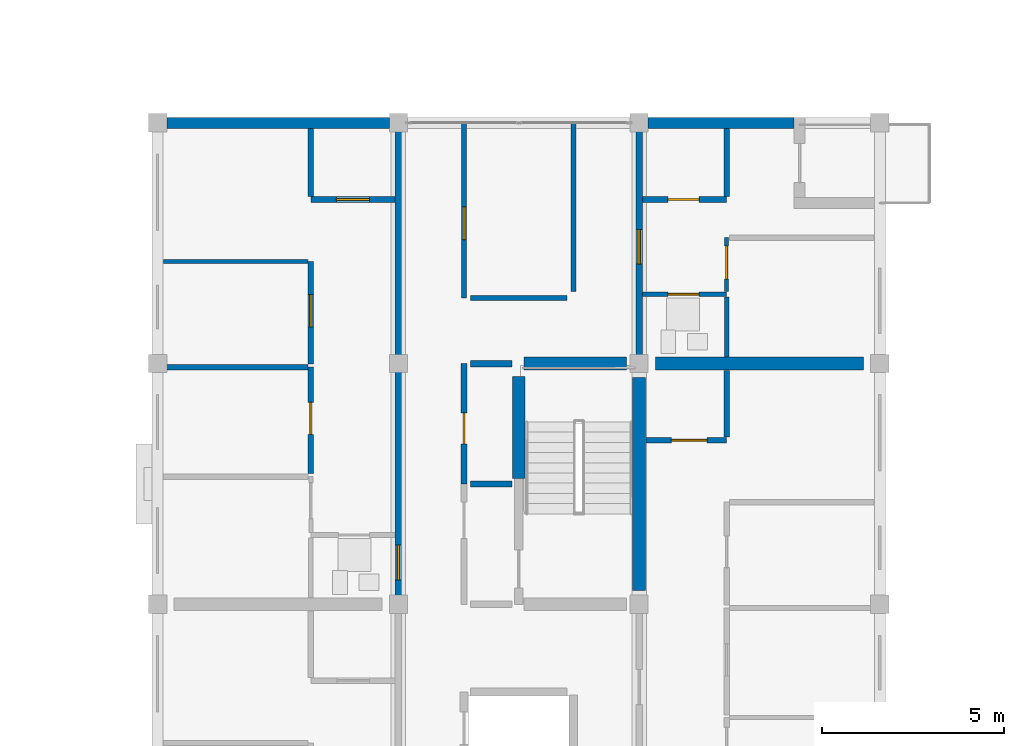
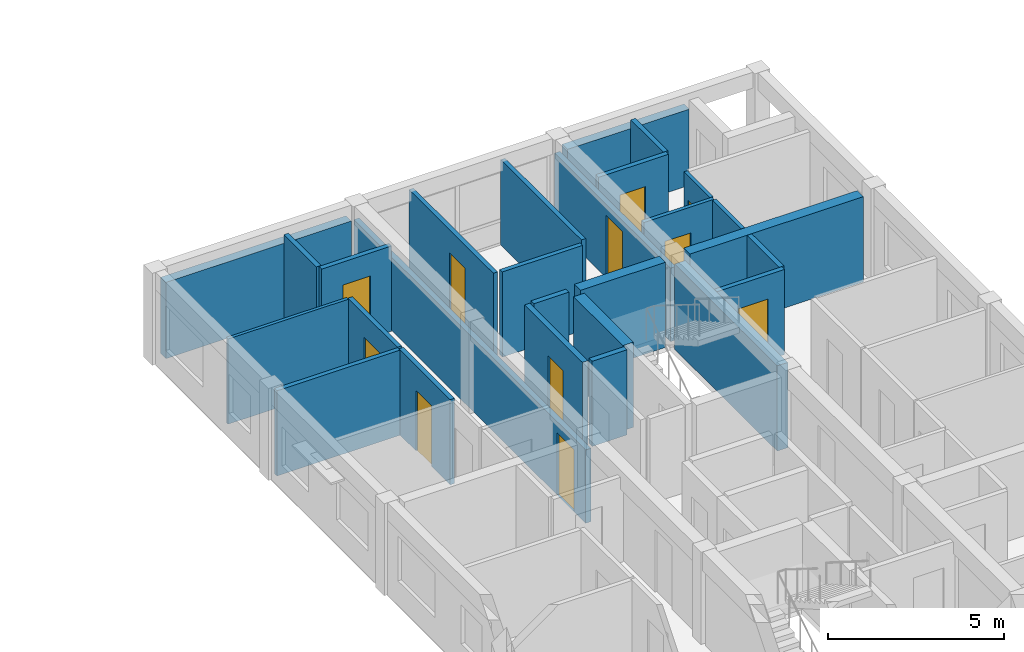
# One storey, part 32 of 52: 27 walls, 11 doors, 11 openings.
"""IFC4 building model written with IfcOpenShell, lengths in metres."""

from ifc_helpers import new_model, si_unit, direction, frame, frame_2d, origin, place, context, subcontext, project, spatial, rectangle, extrude, material, layer, layer_set, type_object, element, fill, save


model = new_model("IFC4")

# Units and contexts
model_context = context("Model", 3, precision=1e-05, world=origin(), true_north=direction((0.0, 1.0)))
body_context = subcontext(model_context, "Body", "Model", "MODEL_VIEW")
ifc_project = project(units=[si_unit("LENGTHUNIT", "METRE"), si_unit("AREAUNIT", "SQUARE_METRE"), si_unit("VOLUMEUNIT", "CUBIC_METRE"), si_unit("PLANEANGLEUNIT", "RADIAN"), si_unit("MASSUNIT", "GRAM", prefix="KILO")], contexts=[model_context])

# Site, building, storey
site_placement = place(None, origin())
site = spatial("IfcSite", under=ifc_project, at=site_placement, CompositionType="ELEMENT")
building_placement = place(site_placement, origin())
building = spatial("IfcBuilding", under=site, at=building_placement, Name="Kernevlak Ridge Housing Community", CompositionType="ELEMENT")
storey_placement = place(building_placement, frame((0.0, 0.0, 11.60009765625)))
storey = spatial("IfcBuildingStorey", under=building, at=storey_placement, Name="L03", CompositionType="ELEMENT", Elevation=11.60009765625)

# Walls
ifc_material_1 = material(Name="Concrete block masonry M10", Category="masonry")
ifc_layer_1 = layer(ifc_material_1, 0.300048828125, Name="Concrete block masonry M10")
ifc_layer_set_1 = layer_set([ifc_layer_1], Name="Concrete block masonry M10")
wall_type_1 = type_object("IfcWallType", Name="EW-01", PredefinedType="STANDARD", material=ifc_layer_set_1)
wall_1_placement = place(storey_placement, frame((126.25, 42.0, 0.0), z_axis=(0.0, 0.0, 1.0), x_axis=(1.0, 0.0, 0.0)))
element("IfcWall", 1, at=wall_1_placement, inside=storey, type_object=wall_type_1, Name="Exterior wall EW-01 L03 584", PredefinedType="STANDARD", context=body_context, shape_type="SweptSolid", body=[
    extrude(rectangle(XDim=6.10009765625, YDim=0.300048828125, at=frame_2d((3.050048828125, 0.0))), origin(), (0.0, 0.0, 1.0), 2.64990234375),
])
wall_2_placement = place(storey_placement, frame((139.449951171875, 42.0, 0.0), z_axis=(0.0, 0.0, 1.0), x_axis=(1.0, 0.0, 0.0)))
element("IfcWall", 2, at=wall_2_placement, inside=storey, type_object=wall_type_1, Name="Exterior wall EW-01 L03 585", PredefinedType="STANDARD", context=body_context, shape_type="SweptSolid", body=[
    extrude(rectangle(XDim=4.0, YDim=0.300048828125, at=frame_2d((2.0, 0.0))), origin(), (0.0, 0.0, 1.0), 2.64990234375),
])

# Wall, opening, door
ifc_layer_2 = layer(ifc_material_1, 0.175048828125, Name="Concrete block masonry M10")
ifc_layer_set_2 = layer_set([ifc_layer_2], Name="Concrete block masonry M10")
wall_type_2 = type_object("IfcWallType", Name="PW-02", PredefinedType="PARTITIONING", material=ifc_layer_set_2)
wall_3_placement = place(storey_placement, frame((134.39990234375, 32.10009765625, 0.0), z_axis=(0.0, 0.0, 1.0), x_axis=(0.0, 1.0, 0.0)))
wall_3 = element("IfcWall", 3, at=wall_3_placement, inside=storey, type_object=wall_type_2, Name="Interior wall PW-02 WAL-INT-L03-2308", PredefinedType="PARTITIONING", context=body_context, shape_type="SweptSolid", body=[
    extrude(rectangle(XDim=3.2998046875, YDim=0.175048828125, at=frame_2d((1.64990234375, 0.0))), origin(), (0.0, 0.0, 1.0), 2.9599609375),
])
opening_1_placement = place(wall_3_placement, frame((1.10009765625, 0.0, 0.0)))
opening_1 = element("IfcOpeningElement", 4, at=opening_1_placement, cuts=wall_3, Name="Opening E170", PredefinedType="OPENING", context=body_context, shape_type="SweptSolid", body=[
    extrude(rectangle(XDim=0.85009765625, YDim=2.0, at=frame_2d((0.425048828125, 1.0))), frame((0.0, 0.097412109375, 0.0), z_axis=(0.0, -1.0, 0.0), x_axis=(1.0, 0.0, 0.0)), (0.0, 0.0, 1.0), 0.195068359375),
])
ifc_material_2 = material(Name="Fire-rated sheet steel leaf", Category="steel")
door_type_1 = type_object("IfcDoorType", Name="DT-07", OperationType="NOTDEFINED", PredefinedType="DOOR", material=ifc_material_2)
door_1_placement = place(opening_1_placement, origin())
door_1 = element("IfcDoor", 5, at=door_1_placement, inside=storey, type_object=door_type_1, Name="Block C Cleaner store door E170", OperationType="SINGLE_SWING_LEFT", OverallHeight=2.0, OverallWidth=0.85009765625, PredefinedType="DOOR", context=body_context, shape_type="SweptSolid", body=[
    extrude(rectangle(XDim=0.85009765625, YDim=2.0, at=frame_2d((0.425048828125, 1.0))), frame((0.0, 0.02490234375, 0.0), z_axis=(0.0, -1.0, 0.0), x_axis=(1.0, 0.0, 0.0)), (0.0, 0.0, 1.0), 0.050048828125),
])
fill(opening_1, door_1)

# Walls
for number, where, z_axis, x_axis, name in (
    (6, (134.580078125, 32.10009765625, 0.0), (0.0, 0.0, 1.0), (1.0, 0.0, 0.0), "Interior wall PW-02 WAL-INT-L03-2310"),
    (7, (134.580078125, 35.39990234375, 0.0), (0.0, 0.0, 1.0), (1.0, 0.0, 0.0), "Interior wall PW-02 WAL-INT-L03-2311"),
):
    element("IfcWall", number, at=place(storey_placement, frame(where, z_axis=z_axis, x_axis=x_axis)), inside=storey, type_object=wall_type_2, Name=name, PredefinedType="PARTITIONING", context=body_context, shape_type="SweptSolid", body=[
        extrude(rectangle(XDim=1.139892578125, YDim=0.175048828125, at=frame_2d((0.56982421875, 0.0))), origin(), (0.0, 0.0, 1.0), 2.9599609375),
    ])

# Wall, opening, door
wall_4_placement = place(storey_placement, frame((132.60009765625, 28.800048828125, 0.0), z_axis=(0.0, 0.0, 1.0), x_axis=(0.0, 1.0, 0.0)))
wall_4 = element("IfcWall", 8, at=wall_4_placement, inside=storey, type_object=wall_type_2, Name="Interior wall PW-02 WAL-INT-L03-2326", PredefinedType="PARTITIONING", context=body_context, shape_type="SweptSolid", body=[
    extrude(rectangle(XDim=13.199951171875, YDim=0.175048828125, at=frame_2d((6.60009765625, 0.0))), origin(), (0.0, 0.0, 1.0), 2.5498046875),
])
opening_2_placement = place(wall_4_placement, frame((0.669921875, 0.0, 0.0)))
opening_2 = element("IfcOpeningElement", 9, at=opening_2_placement, cuts=wall_4, Name="Opening E178", PredefinedType="OPENING", context=body_context, shape_type="SweptSolid", body=[
    extrude(rectangle(XDim=0.949951171875, YDim=2.159912109375, at=frame_2d((0.47509765625, 1.080078125))), frame((0.0, 0.097412109375, 0.0), z_axis=(0.0, -1.0, 0.0), x_axis=(1.0, 0.0, 0.0)), (0.0, 0.0, 1.0), 0.195068359375),
])
ifc_material_3 = material(Name="Hardwood timber solid-core fire leaf", Category="wood")
door_type_2 = type_object("IfcDoorType", Name="DT-02", OperationType="NOTDEFINED", PredefinedType="DOOR", material=ifc_material_3)
door_2_placement = place(opening_2_placement, origin())
door_2 = element("IfcDoor", 10, at=door_2_placement, inside=storey, type_object=door_type_2, Name="Flat C0312 entrance fire door E178", OperationType="SINGLE_SWING_LEFT", OverallHeight=2.159912109375, OverallWidth=0.949951171875, PredefinedType="DOOR", context=body_context, shape_type="SweptSolid", body=[
    extrude(rectangle(XDim=0.949951171875, YDim=2.159912109375, at=frame_2d((0.47509765625, 1.080078125))), frame((0.0, 0.02490234375, 0.0), z_axis=(0.0, -1.0, 0.0), x_axis=(1.0, 0.0, 0.0)), (0.0, 0.0, 1.0), 0.050048828125),
])
fill(opening_2, door_2)

wall_5_placement = place(storey_placement, frame((139.199951171875, 35.39990234375, 0.0), z_axis=(0.0, 0.0, 1.0), x_axis=(0.0, 1.0, 0.0)))
wall_5 = element("IfcWall", 11, at=wall_5_placement, inside=storey, type_object=wall_type_2, Name="Interior wall PW-02 WAL-INT-L03-2356", PredefinedType="PARTITIONING", context=body_context, shape_type="SweptSolid", body=[
    extrude(rectangle(XDim=6.60009765625, YDim=0.175048828125, at=frame_2d((3.300048828125, 0.0))), origin(), (0.0, 0.0, 1.0), 2.5498046875),
])
opening_3_placement = place(wall_5_placement, frame((2.72509765625, 0.0, 0.0)))
opening_3 = element("IfcOpeningElement", 12, at=opening_3_placement, cuts=wall_5, Name="Opening E194", PredefinedType="OPENING", context=body_context, shape_type="SweptSolid", body=[
    extrude(rectangle(XDim=0.949951171875, YDim=2.159912109375, at=frame_2d((0.47509765625, 1.080078125))), frame((0.0, 0.097412109375, 0.0), z_axis=(0.0, -1.0, 0.0), x_axis=(1.0, 0.0, 0.0)), (0.0, 0.0, 1.0), 0.195068359375),
])
door_3_placement = place(opening_3_placement, origin())
door_3 = element("IfcDoor", 13, at=door_3_placement, inside=storey, type_object=door_type_2, Name="Flat C0323 entrance fire door E194", OperationType="SINGLE_SWING_LEFT", OverallHeight=2.159912109375, OverallWidth=0.949951171875, PredefinedType="DOOR", context=body_context, shape_type="SweptSolid", body=[
    extrude(rectangle(XDim=0.949951171875, YDim=2.159912109375, at=frame_2d((0.47509765625, 1.080078125))), frame((0.0, 0.02490234375, 0.0), z_axis=(0.0, -1.0, 0.0), x_axis=(1.0, 0.0, 0.0)), (0.0, 0.0, 1.0), 0.050048828125),
])
fill(opening_3, door_3)

ifc_layer_3 = layer(ifc_material_1, 0.14501953125, Name="Concrete block masonry M10")
ifc_layer_set_3 = layer_set([ifc_layer_3], Name="Concrete block masonry M10")
wall_type_3 = type_object("IfcWallType", Name="PW-03", PredefinedType="PARTITIONING", material=ifc_layer_set_3)
wall_6_placement = place(storey_placement, frame((134.39990234375, 37.199951171875, 0.0), z_axis=(0.0, 0.0, 1.0), x_axis=(0.0, 1.0, 0.0)))
wall_6 = element("IfcWall", 14, at=wall_6_placement, inside=storey, type_object=wall_type_3, Name="Interior wall PW-03 WAL-INT-L03-2312", PredefinedType="PARTITIONING", context=body_context, shape_type="SweptSolid", body=[
    extrude(rectangle(XDim=4.800048828125, YDim=0.14501953125, at=frame_2d((2.39990234375, 0.0))), origin(), (0.0, 0.0, 1.0), 2.9599609375),
])
opening_4_placement = place(wall_6_placement, frame((1.60009765625, 0.0, 0.0)))
opening_4 = element("IfcOpeningElement", 15, at=opening_4_placement, cuts=wall_6, Name="Opening E171", PredefinedType="OPENING", context=body_context, shape_type="SweptSolid", body=[
    extrude(rectangle(XDim=0.89990234375, YDim=2.159912109375, at=frame_2d((0.449951171875, 1.080078125))), frame((0.0, 0.08251953125, 0.0), z_axis=(0.0, -1.0, 0.0), x_axis=(1.0, 0.0, 0.0)), (0.0, 0.0, 1.0), 0.1650390625),
])
ifc_material_4 = material(Name="Hardwood timber leaf", Category="wood")
door_type_3 = type_object("IfcDoorType", Name="DT-22", OperationType="NOTDEFINED", PredefinedType="DOOR", material=ifc_material_4)
door_4_placement = place(opening_4_placement, origin())
door_4 = element("IfcDoor", 16, at=door_4_placement, inside=storey, type_object=door_type_3, Name="Block C Laundry room door E171", OperationType="SINGLE_SWING_RIGHT", OverallHeight=2.159912109375, OverallWidth=0.89990234375, PredefinedType="DOOR", context=body_context, shape_type="SweptSolid", body=[
    extrude(rectangle(XDim=0.89990234375, YDim=2.159912109375, at=frame_2d((0.449951171875, 1.080078125))), frame((0.0, 0.02490234375, 0.0), z_axis=(0.0, -1.0, 0.0), x_axis=(1.0, 0.0, 0.0)), (0.0, 0.0, 1.0), 0.050048828125),
])
fill(opening_4, door_4)

# Walls
wall_7_placement = place(storey_placement, frame((137.39990234375, 37.3798828125, 0.0), z_axis=(0.0, 0.0, 1.0), x_axis=(0.0, 1.0, 0.0)))
element("IfcWall", 17, at=wall_7_placement, inside=storey, type_object=wall_type_3, Name="Interior wall PW-03 WAL-INT-L03-2313", PredefinedType="PARTITIONING", context=body_context, shape_type="SweptSolid", body=[
    extrude(rectangle(XDim=4.60009765625, YDim=0.14501953125, at=frame_2d((2.300048828125, 0.0))), origin(), (0.0, 0.0, 1.0), 2.9599609375),
])
wall_8_placement = place(storey_placement, frame((134.580078125, 37.199951171875, 0.0), z_axis=(0.0, 0.0, 1.0), x_axis=(1.0, 0.0, 0.0)))
element("IfcWall", 18, at=wall_8_placement, inside=storey, type_object=wall_type_3, Name="Interior wall PW-03 WAL-INT-L03-2314", PredefinedType="PARTITIONING", context=body_context, shape_type="SweptSolid", body=[
    extrude(rectangle(XDim=2.639892578125, YDim=0.14501953125, at=frame_2d((1.31982421875, 0.0))), origin(), (0.0, 0.0, 1.0), 2.9599609375),
])

# Wall, opening, door
wall_9_placement = place(storey_placement, frame((130.199951171875, 32.382568359375, 0.0), z_axis=(0.0, 0.0, 1.0), x_axis=(0.0, 1.0, 0.0)))
wall_9 = element("IfcWall", 19, at=wall_9_placement, inside=storey, type_object=wall_type_3, Name="Interior wall PW-03 WAL-INT-L03-2333", PredefinedType="PARTITIONING", context=body_context, shape_type="SweptSolid", body=[
    extrude(rectangle(XDim=2.91748046875, YDim=0.14501953125, at=frame_2d((1.458740234375, 0.0))), origin(), (0.0, 0.0, 1.0), 2.9599609375),
])
opening_5_placement = place(wall_9_placement, frame((1.074951171875, 0.0, 0.0)))
opening_5 = element("IfcOpeningElement", 20, at=opening_5_placement, cuts=wall_9, Name="Opening E182", PredefinedType="OPENING", context=body_context, shape_type="SweptSolid", body=[
    extrude(rectangle(XDim=0.8798828125, YDim=2.10009765625, at=frame_2d((0.43994140625, 1.050048828125))), frame((0.0, 0.08251953125, 0.0), z_axis=(0.0, -1.0, 0.0), x_axis=(1.0, 0.0, 0.0)), (0.0, 0.0, 1.0), 0.1650390625),
])
door_type_4 = type_object("IfcDoorType", Name="DT-25", OperationType="NOTDEFINED", PredefinedType="DOOR", material=ifc_material_4)
door_5_placement = place(opening_5_placement, origin())
door_5 = element("IfcDoor", 21, at=door_5_placement, inside=storey, type_object=door_type_4, Name="Flat C0312 bedroom door E182", OperationType="SINGLE_SWING_LEFT", OverallHeight=2.10009765625, OverallWidth=0.8798828125, PredefinedType="DOOR", context=body_context, shape_type="SweptSolid", body=[
    extrude(rectangle(XDim=0.8798828125, YDim=2.10009765625, at=frame_2d((0.43994140625, 1.050048828125))), frame((0.0, 0.02490234375, 0.0), z_axis=(0.0, -1.0, 0.0), x_axis=(1.0, 0.0, 0.0)), (0.0, 0.0, 1.0), 0.050048828125),
])
fill(opening_5, door_5)

# Wall
wall_10_placement = place(storey_placement, frame((130.117431640625, 35.300048828125, 0.0), z_axis=(0.0, 0.0, 1.0), x_axis=(-1.0, 0.0, 0.0)))
element("IfcWall", 22, at=wall_10_placement, inside=storey, type_object=wall_type_3, Name="Interior wall PW-03 WAL-INT-L03-2334", PredefinedType="PARTITIONING", context=body_context, shape_type="SweptSolid", body=[
    extrude(rectangle(XDim=4.037353515625, YDim=0.14501953125, at=frame_2d((2.0185546875, 0.0))), origin(), (0.0, 0.0, 1.0), 2.9599609375),
])

# Wall, opening, door
wall_11_placement = place(storey_placement, frame((130.199951171875, 35.382568359375, 0.0), z_axis=(0.0, 0.0, 1.0), x_axis=(0.0, 1.0, 0.0)))
wall_11 = element("IfcWall", 23, at=wall_11_placement, inside=storey, type_object=wall_type_3, Name="Interior wall PW-03 WAL-INT-L03-2335", PredefinedType="PARTITIONING", context=body_context, shape_type="SweptSolid", body=[
    extrude(rectangle(XDim=2.8173828125, YDim=0.14501953125, at=frame_2d((1.40869140625, 0.0))), origin(), (0.0, 0.0, 1.0), 2.9599609375),
])
opening_6_placement = place(wall_11_placement, frame((1.02490234375, 0.0, 0.0)))
opening_6 = element("IfcOpeningElement", 24, at=opening_6_placement, cuts=wall_11, Name="Opening E183", PredefinedType="OPENING", context=body_context, shape_type="SweptSolid", body=[
    extrude(rectangle(XDim=0.8798828125, YDim=2.159912109375, at=frame_2d((0.43994140625, 1.080078125))), frame((0.0, 0.08251953125, 0.0), z_axis=(0.0, -1.0, 0.0), x_axis=(1.0, 0.0, 0.0)), (0.0, 0.0, 1.0), 0.1650390625),
])
door_type_5 = type_object("IfcDoorType", Name="DT-26", OperationType="NOTDEFINED", PredefinedType="DOOR", material=ifc_material_4)
door_6_placement = place(opening_6_placement, origin())
door_6 = element("IfcDoor", 25, at=door_6_placement, inside=storey, type_object=door_type_5, Name="Flat C0312 bedroom door E183", OperationType="SINGLE_SWING_RIGHT", OverallHeight=2.159912109375, OverallWidth=0.8798828125, PredefinedType="DOOR", context=body_context, shape_type="SweptSolid", body=[
    extrude(rectangle(XDim=0.8798828125, YDim=2.159912109375, at=frame_2d((0.43994140625, 1.080078125))), frame((0.0, 0.02490234375, 0.0), z_axis=(0.0, -1.0, 0.0), x_axis=(1.0, 0.0, 0.0)), (0.0, 0.0, 1.0), 0.050048828125),
])
fill(opening_6, door_6)

ifc_material_5 = material(Name="Gypsum plasterboard EN 520", Category="gypsum")
ifc_layer_4 = layer(ifc_material_5, 0.125, Name="Gypsum plasterboard EN 520")
ifc_layer_set_4 = layer_set([ifc_layer_4], Name="Gypsum plasterboard EN 520")
wall_type_4 = type_object("IfcWallType", Name="PW-04", PredefinedType="PARTITIONING", material=ifc_layer_set_4)
wall_12_placement = place(storey_placement, frame((139.297607421875, 37.300048828125, 0.0), z_axis=(0.0, 0.0, 1.0), x_axis=(1.0, 0.0, 0.0)))
wall_12 = element("IfcWall", 26, at=wall_12_placement, inside=storey, type_object=wall_type_4, Name="Interior wall PW-04 WAL-INT-L03-2357", PredefinedType="PARTITIONING", context=body_context, shape_type="SweptSolid", body=[
    extrude(rectangle(XDim=2.302490234375, YDim=0.125, at=frame_2d((1.1513671875, 0.0))), origin(), (0.0, 0.0, 1.0), 2.9599609375),
])
opening_7_placement = place(wall_12_placement, frame((0.699951171875, 0.0, 0.0)))
opening_7 = element("IfcOpeningElement", 27, at=opening_7_placement, cuts=wall_12, Name="Opening E195", PredefinedType="OPENING", context=body_context, shape_type="SweptSolid", body=[
    extrude(rectangle(XDim=0.840087890625, YDim=2.06005859375, at=frame_2d((0.419921875, 1.030029296875))), frame((0.0, 0.072509765625, 0.0), z_axis=(0.0, -1.0, 0.0), x_axis=(1.0, 0.0, 0.0)), (0.0, 0.0, 1.0), 0.14501953125),
])
ifc_material_6 = material(Name="Hardwood timber moisture-resistant leaf", Category="wood")
door_type_6 = type_object("IfcDoorType", Name="DT-27", OperationType="NOTDEFINED", PredefinedType="DOOR", material=ifc_material_6)
door_7_placement = place(opening_7_placement, origin())
door_7 = element("IfcDoor", 28, at=door_7_placement, inside=storey, type_object=door_type_6, Name="Flat C0323 bathroom door E195", OperationType="SINGLE_SWING_RIGHT", OverallHeight=2.06005859375, OverallWidth=0.840087890625, PredefinedType="DOOR", context=body_context, shape_type="SweptSolid", body=[
    extrude(rectangle(XDim=0.840087890625, YDim=2.06005859375, at=frame_2d((0.419921875, 1.030029296875))), frame((0.0, 0.02490234375, 0.0), z_axis=(0.0, -1.0, 0.0), x_axis=(1.0, 0.0, 0.0)), (0.0, 0.0, 1.0), 0.050048828125),
])
fill(opening_7, door_7)

# Wall
wall_13_placement = place(storey_placement, frame((141.60009765625, 35.5849609375, 0.0), z_axis=(0.0, 0.0, 1.0), x_axis=(0.0, 1.0, 0.0)))
element("IfcWall", 29, at=wall_13_placement, inside=storey, type_object=wall_type_4, Name="Interior wall PW-04 WAL-INT-L03-2358", PredefinedType="PARTITIONING", context=body_context, shape_type="SweptSolid", body=[
    extrude(rectangle(XDim=1.635009765625, YDim=0.125, at=frame_2d((0.8173828125, 0.0))), origin(), (0.0, 0.0, 1.0), 2.9599609375),
])

# Wall, opening, door
ifc_layer_5 = layer(ifc_material_5, 0.155029296875, Name="Gypsum plasterboard EN 520")
ifc_layer_set_5 = layer_set([ifc_layer_5], Name="Gypsum plasterboard EN 520")
wall_type_5 = type_object("IfcWallType", Name="PW-05", PredefinedType="PARTITIONING", material=ifc_layer_set_5)
wall_14_placement = place(storey_placement, frame((132.50244140625, 39.89990234375, 0.0), z_axis=(0.0, 0.0, 1.0), x_axis=(-1.0, 0.0, 0.0)))
wall_14 = element("IfcWall", 30, at=wall_14_placement, inside=storey, type_object=wall_type_5, Name="Interior wall PW-05 WAL-INT-L03-2329", PredefinedType="PARTITIONING", context=body_context, shape_type="SweptSolid", body=[
    extrude(rectangle(XDim=2.302490234375, YDim=0.155029296875, at=frame_2d((1.1513671875, 0.0))), origin(), (0.0, 0.0, 1.0), 2.9599609375),
])
opening_8_placement = place(wall_14_placement, frame((0.699951171875, 0.0, 0.0)))
opening_8 = element("IfcOpeningElement", 31, at=opening_8_placement, cuts=wall_14, Name="Opening E180", PredefinedType="OPENING", context=body_context, shape_type="SweptSolid", body=[
    extrude(rectangle(XDim=0.89990234375, YDim=2.159912109375, at=frame_2d((0.449951171875, 1.080078125))), frame((0.0, 0.08740234375, 0.0), z_axis=(0.0, -1.0, 0.0), x_axis=(1.0, 0.0, 0.0)), (0.0, 0.0, 1.0), 0.175048828125),
])
door_8_placement = place(opening_8_placement, origin())
door_8 = element("IfcDoor", 32, at=door_8_placement, inside=storey, type_object=door_type_3, Name="Flat C0312 kitchen door E180", OperationType="SINGLE_SWING_LEFT", OverallHeight=2.159912109375, OverallWidth=0.89990234375, PredefinedType="DOOR", context=body_context, shape_type="SweptSolid", body=[
    extrude(rectangle(XDim=0.89990234375, YDim=2.159912109375, at=frame_2d((0.449951171875, 1.080078125))), frame((0.0, 0.02490234375, 0.0), z_axis=(0.0, -1.0, 0.0), x_axis=(1.0, 0.0, 0.0)), (0.0, 0.0, 1.0), 0.050048828125),
])
fill(opening_8, door_8)

# Wall
wall_15_placement = place(storey_placement, frame((130.199951171875, 39.987548828125, 0.0), z_axis=(0.0, 0.0, 1.0), x_axis=(0.0, 1.0, 0.0)))
element("IfcWall", 33, at=wall_15_placement, inside=storey, type_object=wall_type_5, Name="Interior wall PW-05 WAL-INT-L03-2330", PredefinedType="PARTITIONING", context=body_context, shape_type="SweptSolid", body=[
    extrude(rectangle(XDim=1.8525390625, YDim=0.155029296875, at=frame_2d((0.92626953125, 0.0))), origin(), (0.0, 0.0, 1.0), 2.9599609375),
])

# Wall, opening, door
wall_16_placement = place(storey_placement, frame((139.385009765625, 33.300048828125, 0.0), z_axis=(0.0, 0.0, 1.0), x_axis=(1.0, 0.0, 0.0)))
wall_16 = element("IfcWall", 34, at=wall_16_placement, inside=storey, type_object=wall_type_5, Name="Interior wall PW-05 WAL-INT-L03-2348", PredefinedType="PARTITIONING", context=body_context, shape_type="SweptSolid", body=[
    extrude(rectangle(XDim=2.215087890625, YDim=0.155029296875, at=frame_2d((1.107421875, 0.0))), origin(), (0.0, 0.0, 1.0), 2.9599609375),
])
opening_9_placement = place(wall_16_placement, frame((0.699951171875, 0.0, 0.0)))
opening_9 = element("IfcOpeningElement", 35, at=opening_9_placement, cuts=wall_16, Name="Opening E190", PredefinedType="OPENING", context=body_context, shape_type="SweptSolid", body=[
    extrude(rectangle(XDim=0.97998046875, YDim=2.1201171875, at=frame_2d((0.489990234375, 1.06005859375))), frame((0.0, 0.08740234375, 0.0), z_axis=(0.0, -1.0, 0.0), x_axis=(1.0, 0.0, 0.0)), (0.0, 0.0, 1.0), 0.175048828125),
])
door_type_7 = type_object("IfcDoorType", Name="DT-24", OperationType="NOTDEFINED", PredefinedType="DOOR", material=ifc_material_4)
door_9_placement = place(opening_9_placement, origin())
door_9 = element("IfcDoor", 36, at=door_9_placement, inside=storey, type_object=door_type_7, Name="Flat C0322 kitchen door E190", OperationType="SINGLE_SWING_LEFT", OverallHeight=2.1201171875, OverallWidth=0.97998046875, PredefinedType="DOOR", context=body_context, shape_type="SweptSolid", body=[
    extrude(rectangle(XDim=0.97998046875, YDim=2.1201171875, at=frame_2d((0.489990234375, 1.06005859375))), frame((0.0, 0.02490234375, 0.0), z_axis=(0.0, -1.0, 0.0), x_axis=(1.0, 0.0, 0.0)), (0.0, 0.0, 1.0), 0.050048828125),
])
fill(opening_9, door_9)

# Wall
wall_17_placement = place(storey_placement, frame((141.60009765625, 33.387451171875, 0.0), z_axis=(0.0, 0.0, 1.0), x_axis=(0.0, 1.0, 0.0)))
element("IfcWall", 37, at=wall_17_placement, inside=storey, type_object=wall_type_5, Name="Interior wall PW-05 WAL-INT-L03-2349", PredefinedType="PARTITIONING", context=body_context, shape_type="SweptSolid", body=[
    extrude(rectangle(XDim=1.82763671875, YDim=0.155029296875, at=frame_2d((0.913818359375, 0.0))), origin(), (0.0, 0.0, 1.0), 2.9599609375),
])

# Wall, opening, door
wall_18_placement = place(storey_placement, frame((139.297607421875, 39.89990234375, 0.0), z_axis=(0.0, 0.0, 1.0), x_axis=(1.0, 0.0, 0.0)))
wall_18 = element("IfcWall", 38, at=wall_18_placement, inside=storey, type_object=wall_type_5, Name="Interior wall PW-05 WAL-INT-L03-2359", PredefinedType="PARTITIONING", context=body_context, shape_type="SweptSolid", body=[
    extrude(rectangle(XDim=2.302490234375, YDim=0.155029296875, at=frame_2d((1.1513671875, 0.0))), origin(), (0.0, 0.0, 1.0), 2.9599609375),
])
opening_10_placement = place(wall_18_placement, frame((0.699951171875, 0.0, 0.0)))
opening_10 = element("IfcOpeningElement", 39, at=opening_10_placement, cuts=wall_18, Name="Opening E196", PredefinedType="OPENING", context=body_context, shape_type="SweptSolid", body=[
    extrude(rectangle(XDim=0.85009765625, YDim=2.10009765625, at=frame_2d((0.425048828125, 1.050048828125))), frame((0.0, 0.08740234375, 0.0), z_axis=(0.0, -1.0, 0.0), x_axis=(1.0, 0.0, 0.0)), (0.0, 0.0, 1.0), 0.175048828125),
])
door_type_8 = type_object("IfcDoorType", Name="DT-03", OperationType="NOTDEFINED", PredefinedType="DOOR", material=ifc_material_4)
door_10_placement = place(opening_10_placement, origin())
door_10 = element("IfcDoor", 40, at=door_10_placement, inside=storey, type_object=door_type_8, Name="Flat C0323 kitchen door E196", OperationType="SINGLE_SWING_LEFT", OverallHeight=2.10009765625, OverallWidth=0.85009765625, PredefinedType="DOOR", context=body_context, shape_type="SweptSolid", body=[
    extrude(rectangle(XDim=0.85009765625, YDim=2.10009765625, at=frame_2d((0.425048828125, 1.050048828125))), frame((0.0, 0.02490234375, 0.0), z_axis=(0.0, -1.0, 0.0), x_axis=(1.0, 0.0, 0.0)), (0.0, 0.0, 1.0), 0.050048828125),
])
fill(opening_10, door_10)

# Walls
wall_19_placement = place(storey_placement, frame((141.60009765625, 39.987548828125, 0.0), z_axis=(0.0, 0.0, 1.0), x_axis=(0.0, 1.0, 0.0)))
element("IfcWall", 41, at=wall_19_placement, inside=storey, type_object=wall_type_5, Name="Interior wall PW-05 WAL-INT-L03-2360", PredefinedType="PARTITIONING", context=body_context, shape_type="SweptSolid", body=[
    extrude(rectangle(XDim=1.8525390625, YDim=0.155029296875, at=frame_2d((0.92626953125, 0.0))), origin(), (0.0, 0.0, 1.0), 2.9599609375),
])
ifc_layer_6 = layer(ifc_material_5, 0.10498046875, Name="Gypsum plasterboard EN 520")
ifc_layer_set_6 = layer_set([ifc_layer_6], Name="Gypsum plasterboard EN 520")
wall_type_6 = type_object("IfcWallType", Name="PW-06", PredefinedType="PARTITIONING", material=ifc_layer_set_6)
wall_20_placement = place(storey_placement, frame((130.117431640625, 38.199951171875, 0.0), z_axis=(0.0, 0.0, 1.0), x_axis=(-1.0, 0.0, 0.0)))
element("IfcWall", 42, at=wall_20_placement, inside=storey, type_object=wall_type_6, Name="Interior wall PW-06 WAL-INT-L03-2336", PredefinedType="PARTITIONING", context=body_context, shape_type="SweptSolid", body=[
    extrude(rectangle(XDim=3.95751953125, YDim=0.10498046875, at=frame_2d((1.978759765625, 0.0))), origin(), (0.0, 0.0, 1.0), 2.9599609375),
])

# Wall, opening, door
wall_21_placement = place(storey_placement, frame((141.60009765625, 37.37255859375, 0.0), z_axis=(0.0, 0.0, 1.0), x_axis=(0.0, 1.0, 0.0)))
wall_21 = element("IfcWall", 43, at=wall_21_placement, inside=storey, type_object=wall_type_6, Name="Interior wall PW-06 WAL-INT-L03-2361", PredefinedType="PARTITIONING", context=body_context, shape_type="SweptSolid", body=[
    extrude(rectangle(XDim=1.4775390625, YDim=0.10498046875, at=frame_2d((0.73876953125, 0.0))), origin(), (0.0, 0.0, 1.0), 2.9599609375),
])
opening_11_placement = place(wall_21_placement, frame((0.35009765625, 0.0, 0.0)))
opening_11 = element("IfcOpeningElement", 44, at=opening_11_placement, cuts=wall_21, Name="Opening E197", PredefinedType="OPENING", context=body_context, shape_type="SweptSolid", body=[
    extrude(rectangle(XDim=0.89990234375, YDim=2.10009765625, at=frame_2d((0.449951171875, 1.050048828125))), frame((0.0, 0.0625, 0.0), z_axis=(0.0, -1.0, 0.0), x_axis=(1.0, 0.0, 0.0)), (0.0, 0.0, 1.0), 0.125),
])
door_type_9 = type_object("IfcDoorType", Name="DT-21", OperationType="NOTDEFINED", PredefinedType="DOOR", material=ifc_material_4)
door_11_placement = place(opening_11_placement, origin())
door_11 = element("IfcDoor", 45, at=door_11_placement, inside=storey, type_object=door_type_9, Name="Flat C0323 bedroom door E197", OperationType="SINGLE_SWING_RIGHT", OverallHeight=2.10009765625, OverallWidth=0.89990234375, PredefinedType="DOOR", context=body_context, shape_type="SweptSolid", body=[
    extrude(rectangle(XDim=0.89990234375, YDim=2.10009765625, at=frame_2d((0.449951171875, 1.050048828125))), frame((0.0, 0.02490234375, 0.0), z_axis=(0.0, -1.0, 0.0), x_axis=(1.0, 0.0, 0.0)), (0.0, 0.0, 1.0), 0.050048828125),
])
fill(opening_11, door_11)

# Walls
ifc_material_7 = material(Name="Concrete C40/50", Category="concrete")
ifc_layer_7 = layer(ifc_material_7, 0.35009765625, Name="Concrete C40/50")
ifc_layer_set_7 = layer_set([ifc_layer_7], Name="Concrete C40/50")
wall_type_7 = type_object("IfcWallType", Name="SW-01", PredefinedType="SHEAR", material=ifc_layer_set_7)
wall_22_placement = place(storey_placement, frame((139.199951171875, 29.179931640625, 0.0), z_axis=(0.0, 0.0, 1.0), x_axis=(0.0, 1.0, 0.0)))
element("IfcWall", 46, at=wall_22_placement, inside=storey, type_object=wall_type_7, Name="Shear wall SW-01 Block C L03 404", PredefinedType="SHEAR", context=body_context, shape_type="SweptSolid", body=[
    extrude(rectangle(XDim=5.840087890625, YDim=0.35009765625, at=frame_2d((2.919921875, 0.0))), origin(), (0.0, 0.0, 1.0), 2.9599609375),
])
for number, where, z_axis, x_axis, name in (
    (47, (135.89990234375, 32.25, 0.0), (0.0, 0.0, 1.0), (0.0, 1.0, 0.0), "Shear wall SW-01 Block C L03 405"),
    (48, (136.050048828125, 35.39990234375, 0.0), (0.0, 0.0, 1.0), (1.0, 0.0, 0.0), "Shear wall SW-01 Block C L03 407"),
):
    element("IfcWall", number, at=place(storey_placement, frame(where, z_axis=z_axis, x_axis=x_axis)), inside=storey, type_object=wall_type_7, Name=name, PredefinedType="SHEAR", context=body_context, shape_type="SweptSolid", body=[
        extrude(rectangle(XDim=2.800048828125, YDim=0.35009765625, at=frame_2d((1.39990234375, 0.0))), origin(), (0.0, 0.0, 1.0), 2.9599609375),
    ])
wall_23_placement = place(storey_placement, frame((139.64990234375, 35.39990234375, 0.0), z_axis=(0.0, 0.0, 1.0), x_axis=(1.0, 0.0, 0.0)))
element("IfcWall", 49, at=wall_23_placement, inside=storey, type_object=wall_type_7, Name="Shear wall SW-01 Block C L03 410", PredefinedType="SHEAR", context=body_context, shape_type="SweptSolid", body=[
    extrude(rectangle(XDim=5.7001953125, YDim=0.35009765625, at=frame_2d((2.85009765625, 0.0))), origin(), (0.0, 0.0, 1.0), 2.9599609375),
])

save(model, "model.ifc")
